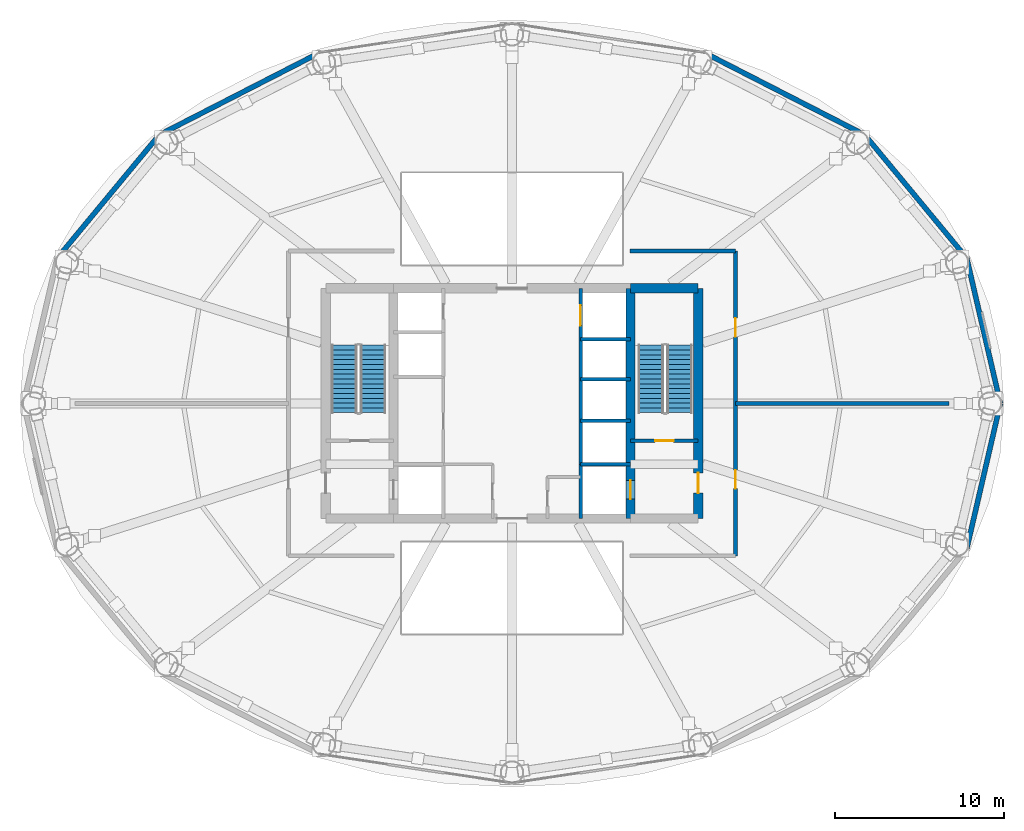
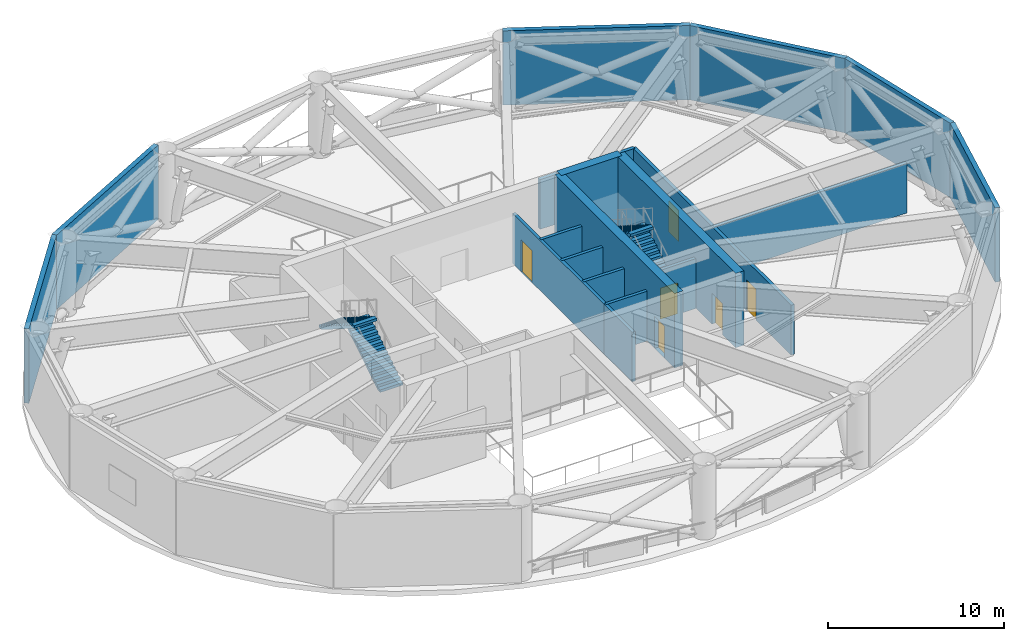
# One storey, part 6 of 8: 19 walls, 6 doors, 4 stair flights, 6 openings, 2 elements without a shape of their own.
"""IFC4 building model written with IfcOpenShell, lengths in metres."""

from ifc_helpers import new_model, si_unit, direction, frame, frame_2d, origin, place, context, subcontext, project, spatial, polyline, rectangle, outline, extrude, material, layer, layer_set, type_object, element, fill, aggregate, save


model = new_model("IFC4")

# Units and contexts
model_context = context("Model", 3, precision=1e-05, world=origin(), true_north=direction((0.0, 1.0)))
body_context = subcontext(model_context, "Body", "Model", "MODEL_VIEW")
ifc_project = project(units=[si_unit("LENGTHUNIT", "METRE"), si_unit("AREAUNIT", "SQUARE_METRE"), si_unit("VOLUMEUNIT", "CUBIC_METRE"), si_unit("PLANEANGLEUNIT", "RADIAN"), si_unit("MASSUNIT", "GRAM", prefix="KILO")], contexts=[model_context])

# Site, building, storey
site_placement = place(None, origin())
site = spatial("IfcSite", under=ifc_project, at=site_placement, CompositionType="ELEMENT")
building_placement = place(site_placement, origin())
building = spatial("IfcBuilding", under=site, at=building_placement, Name="Sarneth Arch Tower", CompositionType="ELEMENT")
storey_placement = place(building_placement, frame((0.0, 0.0, 145.199951171875)))
storey = spatial("IfcBuildingStorey", under=building, at=storey_placement, Name="L36", CompositionType="ELEMENT", Elevation=145.199951171875)

# Wall
ifc_material_1 = material(Name="Concrete C60/75", Category="concrete")
ifc_layer_1 = layer(ifc_material_1, 0.550048828125)
ifc_layer_set_1 = layer_set([ifc_layer_1], Name="Concrete C60/75")
wall_type_1 = type_object("IfcWallType", Name="WALL-CORE-550", PredefinedType="SHEAR", material=ifc_layer_set_1)
wall_1_placement = place(storey_placement, frame((55.0, 48.800048828125, 0.0), z_axis=(0.0, 0.0, 1.0), x_axis=(1.0, 0.0, 0.0)))
element("IfcWall", 1, at=wall_1_placement, inside=storey, type_object=wall_type_1, Name="L36 Core shear wall N-E", PredefinedType="SHEAR", context=body_context, shape_type="SweptSolid", body=[
    extrude(rectangle(XDim=4.0, YDim=0.550048828125, at=frame_2d((2.0, 0.0))), origin(), (0.0, 0.0, 1.0), 5.150146484375),
])

# Wall, opening, door
wall_2_placement = place(storey_placement, frame((59.0, 35.199951171875, 0.0), z_axis=(0.0, 0.0, 1.0), x_axis=(0.0, 1.0, 0.0)))
wall_2 = element("IfcWall", 2, at=wall_2_placement, inside=storey, type_object=wall_type_1, Name="L36 Core shear wall E", PredefinedType="SHEAR", context=body_context, shape_type="SweptSolid", body=[
    extrude(rectangle(XDim=13.60009765625, YDim=0.550048828125, at=frame_2d((6.800048828125, 0.0))), origin(), (0.0, 0.0, 1.0), 5.150146484375),
])
opening_1_placement = place(wall_2_placement, frame((1.5, 0.0, 0.0)))
opening_1 = element("IfcOpeningElement", 3, at=opening_1_placement, cuts=wall_2, Name="Opening FD-02", PredefinedType="OPENING", context=body_context, shape_type="SweptSolid", body=[
    extrude(rectangle(XDim=1.199951171875, YDim=2.14990234375, at=frame_2d((0.60009765625, 1.074951171875))), frame((0.0, 0.284912109375, 0.0), z_axis=(0.0, -1.0, 0.0), x_axis=(1.0, 0.0, 0.0)), (0.0, 0.0, 1.0), 0.570068359375),
])
ifc_material_2 = material(Name="Galvanised Steel S275 fire door set", Category="steel")
door_type_1 = type_object("IfcDoorType", Name="DR-FD90-1200", OperationType="SINGLE_SWING_LEFT", PredefinedType="DOOR", material=ifc_material_2)
door_1_placement = place(opening_1_placement, origin())
door_1 = element("IfcDoor", 4, at=door_1_placement, inside=storey, type_object=door_type_1, Name="L36 Firefighting lobby 2 exit door", OperationType="SINGLE_SWING_RIGHT", OverallHeight=2.14990234375, OverallWidth=1.199951171875, PredefinedType="DOOR", context=body_context, shape_type="SweptSolid", body=[
    extrude(rectangle(XDim=1.199951171875, YDim=2.14990234375, at=frame_2d((0.60009765625, 1.074951171875))), frame((0.0, 0.02490234375, 0.0), z_axis=(0.0, -1.0, 0.0), x_axis=(1.0, 0.0, 0.0)), (0.0, 0.0, 1.0), 0.050048828125),
])
fill(opening_1, door_1)

wall_3_placement = place(storey_placement, frame((55.0, 35.199951171875, 0.0), z_axis=(0.0, 0.0, 1.0), x_axis=(0.0, 1.0, 0.0)))
wall_3 = element("IfcWall", 5, at=wall_3_placement, inside=storey, type_object=wall_type_1, Name="L36 Core shear wall WEB-E", PredefinedType="SHEAR", context=body_context, shape_type="SweptSolid", body=[
    extrude(rectangle(XDim=13.60009765625, YDim=0.550048828125, at=frame_2d((6.800048828125, 0.0))), origin(), (0.0, 0.0, 1.0), 5.150146484375),
])
opening_2_placement = place(wall_3_placement, frame((1.14990234375, 0.0, 0.0)))
opening_2 = element("IfcOpeningElement", 6, at=opening_2_placement, cuts=wall_3, Name="Opening LD-1", PredefinedType="OPENING", context=body_context, shape_type="SweptSolid", body=[
    extrude(rectangle(XDim=1.10009765625, YDim=2.199951171875, at=frame_2d((0.550048828125, 1.10009765625))), frame((0.0, 0.284912109375, 0.0), z_axis=(0.0, -1.0, 0.0), x_axis=(1.0, 0.0, 0.0)), (0.0, 0.0, 1.0), 0.570068359375),
])
ifc_material_3 = material(Name="Brushed Stainless Steel 304 lift landing door", Category="steel")
door_type_2 = type_object("IfcDoorType", Name="DR-LIFT-SLIDE-1100", OperationType="SLIDING_TO_LEFT", PredefinedType="DOOR", material=ifc_material_3)
door_2_placement = place(opening_2_placement, origin())
door_2 = element("IfcDoor", 7, at=door_2_placement, inside=storey, type_object=door_type_2, Name="L36 Firefighting lift landing door FL-2", OperationType="SLIDING_TO_RIGHT", OverallHeight=2.199951171875, OverallWidth=1.10009765625, PredefinedType="DOOR", context=body_context, shape_type="SweptSolid", body=[
    extrude(rectangle(XDim=1.10009765625, YDim=2.199951171875, at=frame_2d((0.550048828125, 1.10009765625))), frame((0.0, 0.02490234375, 0.0), z_axis=(0.0, -1.0, 0.0), x_axis=(1.0, 0.0, 0.0)), (0.0, 0.0, 1.0), 0.050048828125),
])
fill(opening_2, door_2)

# Walls
ifc_material_4 = material(Name="Extruded terracotta rainscreen on Concrete C40/50 backing", Category="masonry")
ifc_layer_2 = layer(ifc_material_4, 0.300048828125)
ifc_layer_set_2 = layer_set([ifc_layer_2], Name="Extruded terracotta rainscreen on Concrete C40/50 backing")
wall_type_2 = type_object("IfcWallType", Name="WALL-EXT-ACOUST-300", PredefinedType="SOLIDWALL", material=ifc_layer_set_2)
wall_4_placement = place(storey_placement, frame((76.848876953125, 42.0, 0.0), z_axis=(0.0, 0.0, 1.0), x_axis=(-0.22558597182, 0.974223264616, 0.0)))
element("IfcWall", 8, at=wall_4_placement, inside=storey, type_object=wall_type_2, Name="L36 Terracotta perimeter wall 01", PredefinedType="SOLIDWALL", context=body_context, shape_type="SweptSolid", body=[
    extrude(rectangle(XDim=8.810546875, YDim=0.300048828125, at=frame_2d((4.4052734375, 0.0))), origin(), (0.0, 0.0, 1.0), 5.150146484375),
])
wall_5_placement = place(storey_placement, frame((74.861328125, 50.58349609375, 0.0), z_axis=(0.0, 0.0, 1.0), x_axis=(-0.637505817448, 0.770445541696, 0.0)))
element("IfcWall", 9, at=wall_5_placement, inside=storey, type_object=wall_type_2, Name="L36 Terracotta perimeter wall 02", PredefinedType="SOLIDWALL", context=body_context, shape_type="SweptSolid", body=[
    extrude(rectangle(XDim=9.445068359375, YDim=0.300048828125, at=frame_2d((4.72265625, 0.0))), origin(), (0.0, 0.0, 1.0), 5.150146484375),
])
for number, where, z_axis, x_axis, name in (
    (10, (68.840087890625, 57.8603515625, 0.0), (0.0, 0.0, 1.0), (-0.889959505023, 0.45603955905, 0.0), "L36 Terracotta perimeter wall 03"),
    (11, (36.648681640625, 62.72265625, 0.0), (0.0, 0.0, 1.0), (-0.889959505023, -0.45603955905, 0.0), "L36 Terracotta perimeter wall 06"),
):
    element("IfcWall", number, at=place(storey_placement, frame(where, z_axis=z_axis, x_axis=x_axis)), inside=storey, type_object=wall_type_2, Name=name, PredefinedType="SOLIDWALL", context=body_context, shape_type="SweptSolid", body=[
        extrude(rectangle(XDim=10.662109375, YDim=0.300048828125, at=frame_2d((5.3310546875, 0.0))), origin(), (0.0, 0.0, 1.0), 5.150146484375),
    ])
wall_6_placement = place(storey_placement, frame((27.159912109375, 57.8603515625, 0.0), z_axis=(0.0, 0.0, 1.0), x_axis=(-0.637505817448, -0.770445541696, 0.0)))
element("IfcWall", 12, at=wall_6_placement, inside=storey, type_object=wall_type_2, Name="L36 Terracotta perimeter wall 07", PredefinedType="SOLIDWALL", context=body_context, shape_type="SweptSolid", body=[
    extrude(rectangle(XDim=9.445068359375, YDim=0.300048828125, at=frame_2d((4.72265625, 0.0))), origin(), (0.0, 0.0, 1.0), 5.150146484375),
])
wall_7_placement = place(storey_placement, frame((74.861328125, 33.41650390625, 0.0), z_axis=(0.0, 0.0, 1.0), x_axis=(0.22558597182, 0.974223264616, 0.0)))
element("IfcWall", 13, at=wall_7_placement, inside=storey, type_object=wall_type_2, Name="L36 Terracotta perimeter wall 16", PredefinedType="SOLIDWALL", context=body_context, shape_type="SweptSolid", body=[
    extrude(rectangle(XDim=8.810546875, YDim=0.300048828125, at=frame_2d((4.4052734375, 0.0))), origin(), (0.0, 0.0, 1.0), 5.150146484375),
])
ifc_material_5 = material(Name="Aerated concrete blockwork C25/30", Category="masonry")
ifc_layer_3 = layer(ifc_material_5, 0.219970703125)
ifc_layer_set_3 = layer_set([ifc_layer_3], Name="Aerated concrete blockwork C25/30")
wall_type_3 = type_object("IfcWallType", Name="WALL-FIRE-220", PredefinedType="SOLIDWALL", material=ifc_layer_set_3)
wall_8_placement = place(storey_placement, frame((61.199951171875, 42.0, 0.0), z_axis=(0.0, 0.0, 1.0), x_axis=(1.0, 0.0, 0.0)))
element("IfcWall", 14, at=wall_8_placement, inside=storey, type_object=wall_type_3, Name="L36 Interior partition W-L36-TP-010", PredefinedType="SOLIDWALL", context=body_context, shape_type="SweptSolid", body=[
    extrude(rectangle(XDim=12.606689453125, YDim=0.219970703125, at=frame_2d((6.30322265625, 0.0))), origin(), (0.0, 0.0, 1.0), 3.449951171875),
])

# Wall, openings, doors
wall_9_placement = place(storey_placement, frame((61.199951171875, 51.0, 0.0), z_axis=(0.0, 0.0, 1.0), x_axis=(0.0, -1.0, 0.0)))
wall_9 = element("IfcWall", 15, at=wall_9_placement, inside=storey, type_object=wall_type_3, Name="L36 Interior partition W-L36-TP-005", PredefinedType="SOLIDWALL", context=body_context, shape_type="SweptSolid", body=[
    extrude(rectangle(XDim=18.0, YDim=0.219970703125, at=frame_2d((9.0, 0.0))), origin(), (0.0, 0.0, 1.0), 3.449951171875),
])
opening_3_placement = place(wall_9_placement, frame((12.93408203125, 0.0, 0.0)))
opening_3 = element("IfcOpeningElement", 16, at=opening_3_placement, cuts=wall_9, Name="Opening FD-03", PredefinedType="OPENING", context=body_context, shape_type="SweptSolid", body=[
    extrude(rectangle(XDim=1.10009765625, YDim=2.14990234375, at=frame_2d((0.550048828125, 1.074951171875))), frame((0.0, 0.119873046875, 0.0), z_axis=(0.0, -1.0, 0.0), x_axis=(1.0, 0.0, 0.0)), (0.0, 0.0, 1.0), 0.239990234375),
])
opening_4_placement = place(wall_9_placement, frame((3.966064453125, 0.0, 0.0)))
opening_4 = element("IfcOpeningElement", 17, at=opening_4_placement, cuts=wall_9, Name="Opening FD-03", PredefinedType="OPENING", context=body_context, shape_type="SweptSolid", body=[
    extrude(rectangle(XDim=1.10009765625, YDim=2.14990234375, at=frame_2d((0.550048828125, 1.074951171875))), frame((0.0, 0.119873046875, 0.0), z_axis=(0.0, -1.0, 0.0), x_axis=(1.0, 0.0, 0.0)), (0.0, 0.0, 1.0), 0.239990234375),
])
ifc_material_6 = material(Name="Galvanised Steel S275 fire door set", Category="steel")
door_type_3 = type_object("IfcDoorType", Name="DR-FD90-1100", OperationType="SINGLE_SWING_LEFT", PredefinedType="DOOR", material=ifc_material_6)
door_3_placement = place(opening_3_placement, origin())
door_3 = element("IfcDoor", 18, at=door_3_placement, inside=storey, type_object=door_type_3, Name="L36 Interior door DR-L36-PSEC-3", OperationType="SINGLE_SWING_LEFT", OverallHeight=2.14990234375, OverallWidth=1.10009765625, PredefinedType="DOOR", context=body_context, shape_type="SweptSolid", body=[
    extrude(rectangle(XDim=1.10009765625, YDim=2.14990234375, at=frame_2d((0.550048828125, 1.074951171875))), frame((0.0, 0.02490234375, 0.0), z_axis=(0.0, -1.0, 0.0), x_axis=(1.0, 0.0, 0.0)), (0.0, 0.0, 1.0), 0.050048828125),
])
fill(opening_3, door_3)
door_4_placement = place(opening_4_placement, origin())
door_4 = element("IfcDoor", 19, at=door_4_placement, inside=storey, type_object=door_type_3, Name="L36 Interior door DR-L36-PSEC-4", OperationType="SINGLE_SWING_LEFT", OverallHeight=2.14990234375, OverallWidth=1.10009765625, PredefinedType="DOOR", context=body_context, shape_type="SweptSolid", body=[
    extrude(rectangle(XDim=1.10009765625, YDim=2.14990234375, at=frame_2d((0.550048828125, 1.074951171875))), frame((0.0, 0.02490234375, 0.0), z_axis=(0.0, -1.0, 0.0), x_axis=(1.0, 0.0, 0.0)), (0.0, 0.0, 1.0), 0.050048828125),
])
fill(opening_4, door_4)

# Wall
wall_10_placement = place(storey_placement, frame((54.968017578125, 51.0, 0.0), z_axis=(0.0, 0.0, 1.0), x_axis=(1.0, 0.0, 0.0)))
element("IfcWall", 20, at=wall_10_placement, inside=storey, type_object=wall_type_3, Name="L36 Interior partition W-L36-TP-007", PredefinedType="SOLIDWALL", context=body_context, shape_type="SweptSolid", body=[
    extrude(rectangle(XDim=6.23193359375, YDim=0.219970703125, at=frame_2d((3.115966796875, 0.0))), origin(), (0.0, 0.0, 1.0), 3.449951171875),
])

# Wall, opening, door
ifc_material_7 = material(Name="Aerated concrete blockwork C25/30", Category="masonry")
ifc_layer_4 = layer(ifc_material_7, 0.199951171875)
ifc_layer_set_4 = layer_set([ifc_layer_4], Name="Aerated concrete blockwork C25/30")
wall_type_4 = type_object("IfcWallType", Name="WALL-SHAFT-200", PredefinedType="SOLIDWALL", material=ifc_layer_set_4)
wall_11_placement = place(storey_placement, frame((55.0, 39.800048828125, 0.0), z_axis=(0.0, 0.0, 1.0), x_axis=(1.0, 0.0, 0.0)))
wall_11 = element("IfcWall", 21, at=wall_11_placement, inside=storey, type_object=wall_type_4, Name="L36 Interior partition W-L36-ST2-S", PredefinedType="SOLIDWALL", context=body_context, shape_type="SweptSolid", body=[
    extrude(rectangle(XDim=4.0, YDim=0.199951171875, at=frame_2d((2.0, 0.0))), origin(), (0.0, 0.0, 1.0), 3.449951171875),
])
opening_5_placement = place(wall_11_placement, frame((1.449951171875, 0.0, 0.0)))
opening_5 = element("IfcOpeningElement", 22, at=opening_5_placement, cuts=wall_11, Name="Opening FD-03", PredefinedType="OPENING", context=body_context, shape_type="SweptSolid", body=[
    extrude(rectangle(XDim=1.10009765625, YDim=2.14990234375, at=frame_2d((0.550048828125, 1.074951171875))), frame((0.0, 0.10986328125, 0.0), z_axis=(0.0, -1.0, 0.0), x_axis=(1.0, 0.0, 0.0)), (0.0, 0.0, 1.0), 0.219970703125),
])
door_5_placement = place(opening_5_placement, origin())
door_5 = element("IfcDoor", 23, at=door_5_placement, inside=storey, type_object=door_type_3, Name="L36 Interior door DR-L36-ST2", OperationType="SINGLE_SWING_RIGHT", OverallHeight=2.14990234375, OverallWidth=1.10009765625, PredefinedType="DOOR", context=body_context, shape_type="SweptSolid", body=[
    extrude(rectangle(XDim=1.10009765625, YDim=2.14990234375, at=frame_2d((0.550048828125, 1.074951171875))), frame((0.0, 0.02490234375, 0.0), z_axis=(0.0, -1.0, 0.0), x_axis=(1.0, 0.0, 0.0)), (0.0, 0.0, 1.0), 0.050048828125),
])
fill(opening_5, door_5)

# Walls
wall_12_placement = place(storey_placement, frame((52.050048828125, 35.199951171875, 0.0), z_axis=(0.0, 0.0, 1.0), x_axis=(0.0, 1.0, 0.0)))
element("IfcWall", 24, at=wall_12_placement, inside=storey, type_object=wall_type_4, Name="L36 Interior partition W-L36-FL2-W", PredefinedType="SOLIDWALL", context=body_context, shape_type="SweptSolid", body=[
    extrude(rectangle(XDim=3.199951171875, YDim=0.199951171875, at=frame_2d((1.60009765625, 0.0))), origin(), (0.0, 0.0, 1.0), 3.449951171875),
])
wall_13_placement = place(storey_placement, frame((52.050048828125, 38.39990234375, 0.0), z_axis=(0.0, 0.0, 1.0), x_axis=(1.0, 0.0, 0.0)))
element("IfcWall", 25, at=wall_13_placement, inside=storey, type_object=wall_type_4, Name="L36 Interior partition W-L36-FL2-N", PredefinedType="SOLIDWALL", context=body_context, shape_type="SweptSolid", body=[
    extrude(rectangle(XDim=2.949951171875, YDim=0.199951171875, at=frame_2d((1.47509765625, 0.0))), origin(), (0.0, 0.0, 1.0), 3.449951171875),
])

# Wall, opening, door
wall_14_placement = place(storey_placement, frame((52.050048828125, 38.39990234375, 0.0), z_axis=(0.0, 0.0, 1.0), x_axis=(0.0, 1.0, 0.0)))
wall_14 = element("IfcWall", 26, at=wall_14_placement, inside=storey, type_object=wall_type_4, Name="L36 Interior partition W-L36-EASTBANK-FRONT", PredefinedType="SOLIDWALL", context=body_context, shape_type="SweptSolid", body=[
    extrude(rectangle(XDim=10.400146484375, YDim=0.199951171875, at=frame_2d((5.2001953125, 0.0))), origin(), (0.0, 0.0, 1.0), 3.449951171875),
])
opening_6_placement = place(wall_14_placement, frame((8.199951171875, 0.0, 0.0)))
opening_6 = element("IfcOpeningElement", 27, at=opening_6_placement, cuts=wall_14, Name="Opening LD-2", PredefinedType="OPENING", context=body_context, shape_type="SweptSolid", body=[
    extrude(rectangle(XDim=1.199951171875, YDim=2.199951171875, at=frame_2d((0.60009765625, 1.10009765625))), frame((0.0, 0.10986328125, 0.0), z_axis=(0.0, -1.0, 0.0), x_axis=(1.0, 0.0, 0.0)), (0.0, 0.0, 1.0), 0.219970703125),
])
ifc_material_8 = material(Name="Brushed Stainless Steel 304 service lift door", Category="steel")
door_type_4 = type_object("IfcDoorType", Name="DR-LIFT-SLIDE-1200", OperationType="SLIDING_TO_RIGHT", PredefinedType="DOOR", material=ifc_material_8)
door_6_placement = place(opening_6_placement, origin())
door_6 = element("IfcDoor", 28, at=door_6_placement, inside=storey, type_object=door_type_4, Name="L36 Lift landing door DR-L36-LD-SL1", OperationType="SLIDING_TO_RIGHT", OverallHeight=2.199951171875, OverallWidth=1.199951171875, PredefinedType="DOOR", context=body_context, shape_type="SweptSolid", body=[
    extrude(rectangle(XDim=1.199951171875, YDim=2.199951171875, at=frame_2d((0.60009765625, 1.10009765625))), frame((0.0, 0.02490234375, 0.0), z_axis=(0.0, -1.0, 0.0), x_axis=(1.0, 0.0, 0.0)), (0.0, 0.0, 1.0), 0.050048828125),
])
fill(opening_6, door_6)

# Walls
for number, where, z_axis, x_axis, name in (
    (29, (52.050048828125, 40.97998046875, 0.0), (0.0, 0.0, 1.0), (1.0, 0.0, 0.0), "L36 Interior partition W-L36-EB-DIV-4098"),
    (30, (52.050048828125, 43.419921875, 0.0), (0.0, 0.0, 1.0), (1.0, 0.0, 0.0), "L36 Interior partition W-L36-EB-DIV-4342"),
    (31, (52.050048828125, 45.800048828125, 0.0), (0.0, 0.0, 1.0), (1.0, 0.0, 0.0), "L36 Interior partition W-L36-EB-DIV-4580"),
):
    element("IfcWall", number, at=place(storey_placement, frame(where, z_axis=z_axis, x_axis=x_axis)), inside=storey, type_object=wall_type_4, Name=name, PredefinedType="SOLIDWALL", context=body_context, shape_type="SweptSolid", body=[
        extrude(rectangle(XDim=2.949951171875, YDim=0.199951171875, at=frame_2d((1.47509765625, 0.0))), origin(), (0.0, 0.0, 1.0), 3.449951171875),
    ])

# Stair, stair flights
ifc_material_9 = material(Name="Concrete C50/60", Category="concrete")
stair_type = type_object("IfcStairType", Name="STAIR-CORE-RC", PredefinedType="HALF_TURN_STAIR", material=ifc_material_9)
stair_1_placement = place(storey_placement, origin())
stair_1 = element("IfcStair", 32, at=stair_1_placement, inside=storey, type_object=stair_type, Name="L36 Core Exit Stair 1", PredefinedType="HALF_TURN_STAIR")
ifc_material_10 = material(Name="Concrete C50/60", Category="concrete")
stair_flight_type = type_object("IfcStairFlightType", Name="FLIGHT-RC-1500", PredefinedType="STRAIGHT", material=ifc_material_10)
stair_flight_1_placement = place(storey_placement, frame((39.800048828125, 41.449951171875, 0.0), z_axis=(0.0, 0.0, 1.0), x_axis=(0.0, 1.0, 0.0)))
stair_flight_1 = element("IfcStairFlight", 33, at=stair_flight_1_placement, type_object=stair_flight_type, Name="ST-1 flight 1", NumberOfRisers=15, NumberOfTreads=14, PredefinedType="STRAIGHT", RiserHeight=0.18, TreadLength=0.285, context=body_context, shape_type="SweptSolid", body=[
    extrude(outline(polyline([(0.0, 0.0), (0.0, 0.179931640625), (0.284912109375, 0.179931640625), (0.284912109375, 0.360107421875), (0.570068359375, 0.360107421875), (0.570068359375, 0.5400390625), (0.85498046875, 0.5400390625), (0.85498046875, 0.719970703125), (1.139892578125, 0.719970703125), (1.139892578125, 0.89990234375), (1.425048828125, 0.89990234375), (1.425048828125, 1.080078125), (1.7099609375, 1.080078125), (1.7099609375, 1.260009765625), (1.9951171875, 1.260009765625), (1.9951171875, 1.43994140625), (2.280029296875, 1.43994140625), (2.280029296875, 1.6201171875), (2.56494140625, 1.6201171875), (2.56494140625, 1.800048828125), (2.85009765625, 1.800048828125), (2.85009765625, 1.97998046875), (3.135009765625, 1.97998046875), (3.135009765625, 2.159912109375), (3.419921875, 2.159912109375), (3.419921875, 2.340087890625), (3.705078125, 2.340087890625), (3.705078125, 2.52001953125), (3.989990234375, 2.52001953125), (3.989990234375, 2.699951171875), (3.989990234375, 2.3427734375), (0.28076171875, 0.0), (0.0, 0.0)])), frame((0.0, 0.75, 0.0), z_axis=(0.0, -1.0, 0.0), x_axis=(1.0, 0.0, 0.0)), (0.0, 0.0, 1.0), 1.5),
])
stair_flight_2_placement = place(storey_placement, frame((38.10009765625, 45.43994140625, 2.699951171875), z_axis=(0.0, 0.0, 1.0), x_axis=(0.0, -1.0, 0.0)))
stair_flight_2 = element("IfcStairFlight", 34, at=stair_flight_2_placement, type_object=stair_flight_type, Name="ST-1 flight 2", NumberOfRisers=15, NumberOfTreads=14, PredefinedType="STRAIGHT", RiserHeight=0.18, TreadLength=0.285, context=body_context, shape_type="SweptSolid", body=[
    extrude(outline(polyline([(0.0, 0.0), (0.0, 0.179931640625), (0.284912109375, 0.179931640625), (0.284912109375, 0.360107421875), (0.570068359375, 0.360107421875), (0.570068359375, 0.5400390625), (0.85498046875, 0.5400390625), (0.85498046875, 0.719970703125), (1.139892578125, 0.719970703125), (1.139892578125, 0.89990234375), (1.425048828125, 0.89990234375), (1.425048828125, 1.080078125), (1.7099609375, 1.080078125), (1.7099609375, 1.260009765625), (1.9951171875, 1.260009765625), (1.9951171875, 1.43994140625), (2.280029296875, 1.43994140625), (2.280029296875, 1.6201171875), (2.56494140625, 1.6201171875), (2.56494140625, 1.800048828125), (2.85009765625, 1.800048828125), (2.85009765625, 1.97998046875), (3.135009765625, 1.97998046875), (3.135009765625, 2.159912109375), (3.419921875, 2.159912109375), (3.419921875, 2.340087890625), (3.705078125, 2.340087890625), (3.705078125, 2.52001953125), (3.989990234375, 2.52001953125), (3.989990234375, 2.699951171875), (3.989990234375, 2.3427734375), (0.28076171875, 0.0), (0.0, 0.0)])), frame((0.0, 0.75, 0.0), z_axis=(0.0, -1.0, 0.0), x_axis=(1.0, 0.0, 0.0)), (0.0, 0.0, 1.0), 1.5),
])
aggregate(stair_1, [stair_flight_1, stair_flight_2])

stair_2_placement = place(storey_placement, origin())
stair_2 = element("IfcStair", 35, at=stair_2_placement, inside=storey, type_object=stair_type, Name="L36 Core Exit Stair 2", PredefinedType="HALF_TURN_STAIR")
stair_flight_3_placement = place(storey_placement, frame((57.89990234375, 41.449951171875, 0.0), z_axis=(0.0, 0.0, 1.0), x_axis=(0.0, 1.0, 0.0)))
stair_flight_3 = element("IfcStairFlight", 36, at=stair_flight_3_placement, type_object=stair_flight_type, Name="ST-2 flight 1", NumberOfRisers=15, NumberOfTreads=14, PredefinedType="STRAIGHT", RiserHeight=0.18, TreadLength=0.285, context=body_context, shape_type="SweptSolid", body=[
    extrude(outline(polyline([(0.0, 0.0), (0.0, 0.179931640625), (0.284912109375, 0.179931640625), (0.284912109375, 0.360107421875), (0.570068359375, 0.360107421875), (0.570068359375, 0.5400390625), (0.85498046875, 0.5400390625), (0.85498046875, 0.719970703125), (1.139892578125, 0.719970703125), (1.139892578125, 0.89990234375), (1.425048828125, 0.89990234375), (1.425048828125, 1.080078125), (1.7099609375, 1.080078125), (1.7099609375, 1.260009765625), (1.9951171875, 1.260009765625), (1.9951171875, 1.43994140625), (2.280029296875, 1.43994140625), (2.280029296875, 1.6201171875), (2.56494140625, 1.6201171875), (2.56494140625, 1.800048828125), (2.85009765625, 1.800048828125), (2.85009765625, 1.97998046875), (3.135009765625, 1.97998046875), (3.135009765625, 2.159912109375), (3.419921875, 2.159912109375), (3.419921875, 2.340087890625), (3.705078125, 2.340087890625), (3.705078125, 2.52001953125), (3.989990234375, 2.52001953125), (3.989990234375, 2.699951171875), (3.989990234375, 2.3427734375), (0.28076171875, 0.0), (0.0, 0.0)])), frame((0.0, 0.75, 0.0), z_axis=(0.0, -1.0, 0.0), x_axis=(1.0, 0.0, 0.0)), (0.0, 0.0, 1.0), 1.5),
])
stair_flight_4_placement = place(storey_placement, frame((56.199951171875, 45.43994140625, 2.699951171875), z_axis=(0.0, 0.0, 1.0), x_axis=(0.0, -1.0, 0.0)))
stair_flight_4 = element("IfcStairFlight", 37, at=stair_flight_4_placement, type_object=stair_flight_type, Name="ST-2 flight 2", NumberOfRisers=15, NumberOfTreads=14, PredefinedType="STRAIGHT", RiserHeight=0.18, TreadLength=0.285, context=body_context, shape_type="SweptSolid", body=[
    extrude(outline(polyline([(0.0, 0.0), (0.0, 0.179931640625), (0.284912109375, 0.179931640625), (0.284912109375, 0.360107421875), (0.570068359375, 0.360107421875), (0.570068359375, 0.5400390625), (0.85498046875, 0.5400390625), (0.85498046875, 0.719970703125), (1.139892578125, 0.719970703125), (1.139892578125, 0.89990234375), (1.425048828125, 0.89990234375), (1.425048828125, 1.080078125), (1.7099609375, 1.080078125), (1.7099609375, 1.260009765625), (1.9951171875, 1.260009765625), (1.9951171875, 1.43994140625), (2.280029296875, 1.43994140625), (2.280029296875, 1.6201171875), (2.56494140625, 1.6201171875), (2.56494140625, 1.800048828125), (2.85009765625, 1.800048828125), (2.85009765625, 1.97998046875), (3.135009765625, 1.97998046875), (3.135009765625, 2.159912109375), (3.419921875, 2.159912109375), (3.419921875, 2.340087890625), (3.705078125, 2.340087890625), (3.705078125, 2.52001953125), (3.989990234375, 2.52001953125), (3.989990234375, 2.699951171875), (3.989990234375, 2.3427734375), (0.28076171875, 0.0), (0.0, 0.0)])), frame((0.0, 0.75, 0.0), z_axis=(0.0, -1.0, 0.0), x_axis=(1.0, 0.0, 0.0)), (0.0, 0.0, 1.0), 1.5),
])
aggregate(stair_2, [stair_flight_3, stair_flight_4])

save(model, "model.ifc")
